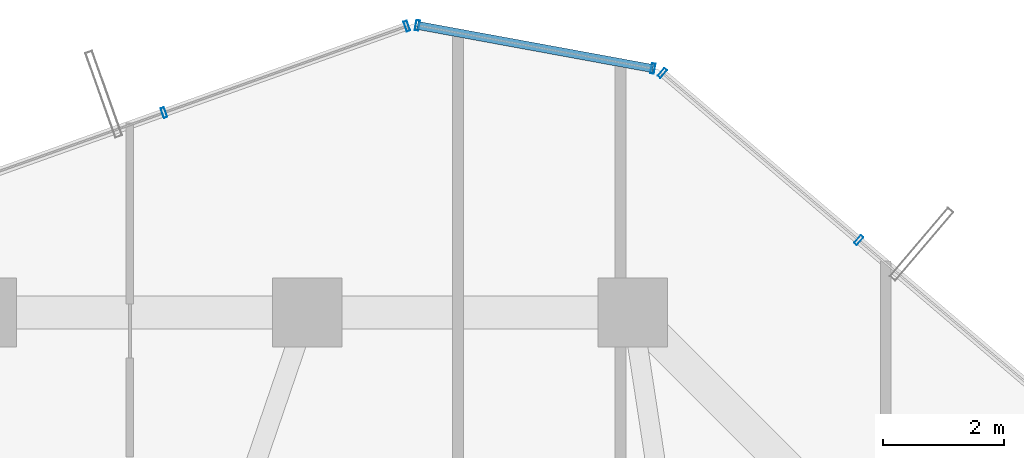
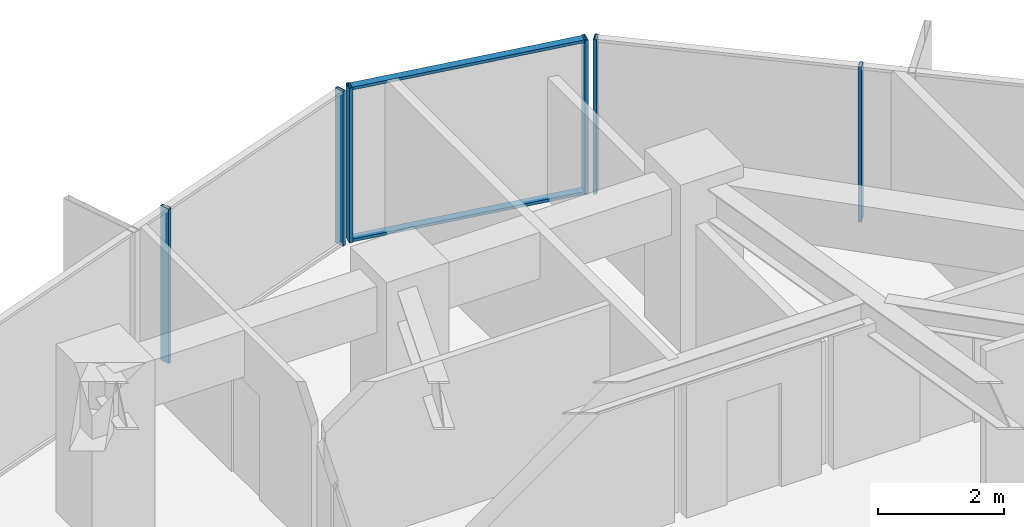
# One storey, part 23 of 33: 8 members, 3 elements without a shape of their own.
"""IFC4 building model written with IfcOpenShell, lengths in metres."""

from ifc_helpers import new_model, si_unit, direction, frame, origin, origin_2d, place, context, subcontext, project, spatial, hollow_rectangle, extrude, source, transform, mapped, material, layer, layer_set, material_profile, profile_set, type_object, element, aggregate, save


model = new_model("IFC4")

# Units and contexts
model_context = context("Model", 3, precision=1e-05, world=origin(), true_north=direction((0.0, 1.0)))
body_context = subcontext(model_context, "Body", "Model", "MODEL_VIEW")
ifc_project = project(units=[si_unit("LENGTHUNIT", "METRE"), si_unit("AREAUNIT", "SQUARE_METRE"), si_unit("VOLUMEUNIT", "CUBIC_METRE"), si_unit("PLANEANGLEUNIT", "RADIAN"), si_unit("MASSUNIT", "GRAM", prefix="KILO")], contexts=[model_context])

# Site, building, storey
site_placement = place(None, origin())
site = spatial("IfcSite", under=ifc_project, at=site_placement, CompositionType="ELEMENT")
building_placement = place(site_placement, origin())
building = spatial("IfcBuilding", under=site, at=building_placement, Name="Veraguas Prism Commons", CompositionType="ELEMENT")
storey_placement = place(building_placement, frame((0.0, 0.0, 92.699951171875)))
storey = spatial("IfcBuildingStorey", under=building, at=storey_placement, Name="L25", CompositionType="ELEMENT", Elevation=92.699951171875)

# Curtain wall, members
ifc_material = material(Name="Anodised aluminium EN AW-6063 T6", Category="aluminium")
ifc_layer = layer(ifc_material, 0.169921875, Name="Unitised Flush Curtain Wall Zone 2", Category="aluminium")
ifc_layer_set = layer_set([ifc_layer], Name="Anodised aluminium EN AW-6063 T6")
curtain_wall_type = type_object("IfcCurtainWallType", Name="Unitised Flush Curtain Wall Zone 2", PredefinedType="NOTDEFINED", material=ifc_layer_set)
curtain_wall_1_placement = place(storey_placement, origin())
curtain_wall_1 = element("IfcCurtainWall", 1, at=curtain_wall_1_placement, inside=storey, type_object=curtain_wall_type, Name="Tower Facade Curtain Wall L25-F1", PredefinedType="NOTDEFINED")
ifc_material_profile_1 = material_profile(ifc_material, hollow_rectangle(XDim=0.06005859375, YDim=0.169921875, WallThickness=0.00390625, at=origin_2d()), Name="AL60X170X4")
ifc_profile_set_1 = profile_set([ifc_material_profile_1], Name="Anodised aluminium EN AW-6063 T6")
member_type_1 = type_object("IfcMemberType", Name="Curtain Wall Mullion Lower AL 60x170x4", PredefinedType="MULLION", material=ifc_profile_set_1)
shared_shape_1 = source(origin(), body_context, "Body", "SweptSolid", [
    extrude(hollow_rectangle(XDim=0.06005859375, YDim=0.169921875, WallThickness=0.00390625, at=origin_2d()), origin(), (0.0, 0.0, 1.0), 3.0),
])
member_1_placement = place(storey_placement, frame((33.1513671875, 41.400634765625, 0.0), z_axis=(0.0, 0.0, 1.0), x_axis=(-0.761540569897, 0.648117242789, 0.0)))
member_1 = element("IfcMember", 2, at=member_1_placement, type_object=member_type_1, Name="CW-Z2 Mullion 4", PredefinedType="MULLION", context=body_context, shape_type="MappedRepresentation", body=[
    mapped(shared_shape_1, transform((0.0, 0.0, 0.0), scale=1.0)),
])
member_2_placement = place(storey_placement, frame((29.89306640625, 44.173583984375, 0.0), z_axis=(0.0, 0.0, 1.0), x_axis=(-0.761540569897, 0.648117242789, 0.0)))
member_2 = element("IfcMember", 3, at=member_2_placement, type_object=member_type_1, Name="CW-Z2 Mullion 5", PredefinedType="MULLION", context=body_context, shape_type="MappedRepresentation", body=[
    mapped(shared_shape_1, transform((0.0, 0.0, 0.0), scale=1.0)),
])
aggregate(curtain_wall_1, [member_1, member_2])

curtain_wall_2_placement = place(storey_placement, origin())
curtain_wall_2 = element("IfcCurtainWall", 4, at=curtain_wall_2_placement, inside=storey, type_object=curtain_wall_type, Name="Tower Facade Curtain Wall L25-F2", PredefinedType="NOTDEFINED")
member_3_placement = place(storey_placement, frame((25.65478515625, 44.95166015625, 0.0), z_axis=(0.0, 0.0, 1.0), x_axis=(-0.942055696354, -0.335456502347, 0.0)))
member_3 = element("IfcMember", 5, at=member_3_placement, type_object=member_type_1, Name="CW-Z2 Mullion 1", PredefinedType="MULLION", context=body_context, shape_type="MappedRepresentation", body=[
    mapped(shared_shape_1, transform((0.0, 0.0, 0.0), scale=1.0)),
])
member_4_placement = place(storey_placement, frame((21.624267578125, 43.516357421875, 0.0), z_axis=(0.0, 0.0, 1.0), x_axis=(-0.942055696354, -0.335456502347, 0.0)))
member_4 = element("IfcMember", 6, at=member_4_placement, type_object=member_type_1, Name="CW-Z2 Mullion 2", PredefinedType="MULLION", context=body_context, shape_type="MappedRepresentation", body=[
    mapped(shared_shape_1, transform((0.0, 0.0, 0.0), scale=1.0)),
])
aggregate(curtain_wall_2, [member_3, member_4])

curtain_wall_3_placement = place(storey_placement, origin())
curtain_wall_3 = element("IfcCurtainWall", 7, at=curtain_wall_3_placement, inside=storey, type_object=curtain_wall_type, Name="Chamfer Curtain Wall L25-C2", PredefinedType="NOTDEFINED")
member_5_placement = place(storey_placement, frame((29.736083984375, 44.248291015625, 0.0), z_axis=(0.0, 0.0, 1.0), x_axis=(-0.983565484031, 0.180551761616, 0.0)))
member_5 = element("IfcMember", 8, at=member_5_placement, type_object=member_type_1, Name="CW-Z2 Mullion 1", PredefinedType="MULLION", context=body_context, shape_type="MappedRepresentation", body=[
    mapped(shared_shape_1, transform((0.0, 0.0, 0.0), scale=1.0)),
])
member_6_placement = place(storey_placement, frame((25.828125, 44.965576171875, 0.0), z_axis=(0.0, 0.0, 1.0), x_axis=(-0.983565484031, 0.180551761616, 0.0)))
member_6 = element("IfcMember", 9, at=member_6_placement, type_object=member_type_1, Name="CW-Z2 Mullion 2", PredefinedType="MULLION", context=body_context, shape_type="MappedRepresentation", body=[
    mapped(shared_shape_1, transform((0.0, 0.0, 0.0), scale=1.0)),
])
ifc_material_profile_2 = material_profile(ifc_material, hollow_rectangle(XDim=0.054931640625, YDim=0.135009765625, WallThickness=0.0029296875, at=origin_2d()), Name="AL55X135X3")
ifc_profile_set_2 = profile_set([ifc_material_profile_2], Name="Anodised aluminium EN AW-6063 T6")
member_type_2 = type_object("IfcMemberType", Name="Curtain Wall Transom Standard AL 55x135x3", PredefinedType="USERDEFINED", material=ifc_profile_set_2)
shared_shape_2 = source(origin(), body_context, "Body", "SweptSolid", [
    extrude(hollow_rectangle(XDim=0.054931640625, YDim=0.135009765625, WallThickness=0.0029296875, at=origin_2d()), origin(), (0.0, 0.0, 1.0), 3.97314453125),
])
member_7_placement = place(storey_placement, frame((29.736083984375, 44.248291015625, 0.027587890625), z_axis=(-0.983569662475, 0.180528997835, 0.0), x_axis=(0.0, 0.0, 1.0)))
member_7 = element("IfcMember", 10, at=member_7_placement, type_object=member_type_2, Name="CW-Z2 Transom 1", ObjectType="TRANSOM", PredefinedType="USERDEFINED", context=body_context, shape_type="MappedRepresentation", body=[
    mapped(shared_shape_2, transform((0.0, 0.0, 0.0), scale=1.0)),
])
member_8_placement = place(storey_placement, frame((29.736083984375, 44.248291015625, 2.97265625), z_axis=(-0.983569662475, 0.180528997835, 0.0), x_axis=(0.0, 0.0, 1.0)))
member_8 = element("IfcMember", 11, at=member_8_placement, type_object=member_type_2, Name="CW-Z2 Transom 2", ObjectType="TRANSOM", PredefinedType="USERDEFINED", context=body_context, shape_type="MappedRepresentation", body=[
    mapped(shared_shape_2, transform((0.0, 0.0, 0.0), scale=1.0)),
])
aggregate(curtain_wall_3, [member_5, member_6, member_7, member_8])

save(model, "model.ifc")
